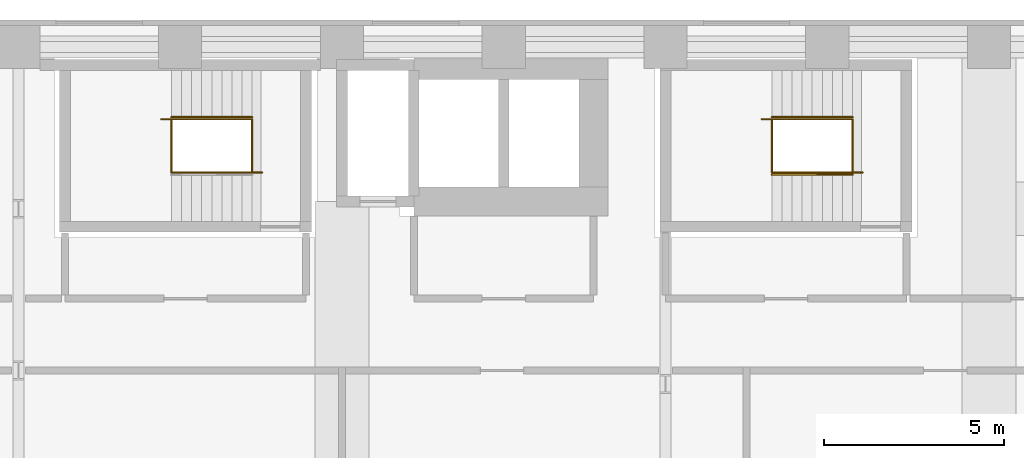
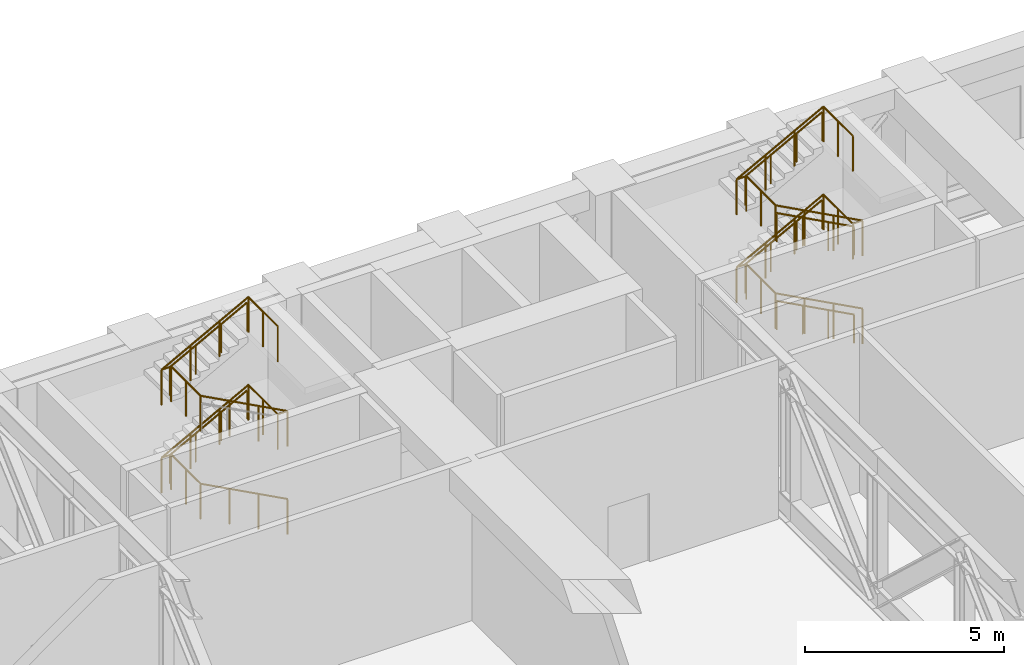
# One storey, part 12 of 13: 8 railings.
"""IFC4 building model written with IfcOpenShell, lengths in metres."""

from ifc_helpers import new_model, si_unit, direction, frame, origin, origin_2d, place, context, subcontext, project, spatial, circle, extrude, material, type_object, element, save


model = new_model("IFC4")

# Units and contexts
model_context = context("Model", 3, precision=1e-05, world=origin(), true_north=direction((0.0, 1.0)))
body_context = subcontext(model_context, "Body", "Model", "MODEL_VIEW")
ifc_project = project(units=[si_unit("LENGTHUNIT", "METRE"), si_unit("AREAUNIT", "SQUARE_METRE"), si_unit("VOLUMEUNIT", "CUBIC_METRE"), si_unit("PLANEANGLEUNIT", "RADIAN"), si_unit("MASSUNIT", "GRAM", prefix="KILO")], contexts=[model_context])

# Site, building, storey
site_placement = place(None, origin())
site = spatial("IfcSite", under=ifc_project, at=site_placement, CompositionType="ELEMENT")
building_placement = place(site_placement, origin())
building = spatial("IfcBuilding", under=site, at=building_placement, Name="Firuza Court", CompositionType="ELEMENT")
storey_placement = place(building_placement, frame((0.0, 0.0, 108.199951171875)))
storey = spatial("IfcBuildingStorey", under=building, at=storey_placement, Name="L27", CompositionType="ELEMENT", Elevation=108.199951171875)

# Railings
ifc_material_1 = material(Name="Steel S355", Category="steel")
railing_type_1 = type_object("IfcRailingType", Name="Handrail 900", PredefinedType="HANDRAIL", material=ifc_material_1)
railing_1_placement = place(storey_placement, frame((40.260009765625, 56.550048828125, 1.5)))
element("IfcRailing", 1, at=railing_1_placement, inside=storey, type_object=railing_type_1, Name="Handrail S1 flight 2", PredefinedType="HANDRAIL", context=body_context, shape_type="SweptSolid", body=[
    extrude(circle(Radius=0.02490234375, at=origin_2d()), frame((0.0, 0.0, 0.875), z_axis=(0.881487111273, 0.0, 0.472208081951), x_axis=(0.0, 1.0, 0.0)), (0.0, 0.0, 1.0), 2.541259765625),
    extrude(circle(Radius=0.02001953125, at=origin_2d()), origin(), (0.0, 0.0, 1.0), 0.849853515625),
    extrude(circle(Radius=0.02001953125, at=origin_2d()), frame((0.74658203125, 0.0, 0.39990234375)), (0.0, 0.0, 1.0), 0.849853515625),
    extrude(circle(Radius=0.02001953125, at=origin_2d()), frame((1.493408203125, 0.0, 0.800048828125)), (0.0, 0.0, 1.0), 0.849853515625),
    extrude(circle(Radius=0.02001953125, at=origin_2d()), frame((2.239990234375, 0.0, 1.199951171875)), (0.0, 0.0, 1.0), 0.849853515625),
])
railing_2_placement = place(storey_placement, frame((40.260009765625, 56.550048828125, 4.199951171875)))
element("IfcRailing", 2, at=railing_2_placement, inside=storey, type_object=railing_type_1, Name="Handrail S1 flight 4", PredefinedType="HANDRAIL", context=body_context, shape_type="SweptSolid", body=[
    extrude(circle(Radius=0.02490234375, at=origin_2d()), frame((0.0, 0.0, 0.875), z_axis=(0.881447119201, 0.0, 0.472282728937), x_axis=(0.0, 1.0, 0.0)), (0.0, 0.0, 1.0), 2.541259765625),
    extrude(circle(Radius=0.02001953125, at=origin_2d()), origin(), (0.0, 0.0, 1.0), 0.849853515625),
    extrude(circle(Radius=0.02001953125, at=origin_2d()), frame((0.74658203125, 0.0, 0.400146484375)), (0.0, 0.0, 1.0), 0.849853515625),
    extrude(circle(Radius=0.02001953125, at=origin_2d()), frame((1.493408203125, 0.0, 0.800048828125)), (0.0, 0.0, 1.0), 0.849853515625),
    extrude(circle(Radius=0.02001953125, at=origin_2d()), frame((2.239990234375, 0.0, 1.2001953125)), (0.0, 0.0, 1.0), 0.849853515625),
])
railing_3_placement = place(storey_placement, frame((59.199951171875, 54.949951171875, 0.150146484375)))
element("IfcRailing", 3, at=railing_3_placement, inside=storey, type_object=railing_type_1, Name="Handrail S4 flight 1", PredefinedType="HANDRAIL", context=body_context, shape_type="SweptSolid", body=[
    extrude(circle(Radius=0.02490234375, at=origin_2d()), frame((0.0, 0.0, 0.875), z_axis=(-0.881487111273, 0.0, 0.472208081951), x_axis=(0.0, -1.0, 0.0)), (0.0, 0.0, 1.0), 2.541259765625),
    extrude(circle(Radius=0.02001953125, at=origin_2d()), origin(), (0.0, 0.0, 1.0), 0.849853515625),
    extrude(circle(Radius=0.02001953125, at=origin_2d()), frame((-0.74658203125, 0.0, 0.39990234375)), (0.0, 0.0, 1.0), 0.849853515625),
    extrude(circle(Radius=0.02001953125, at=origin_2d()), frame((-1.493408203125, 0.0, 0.800048828125)), (0.0, 0.0, 1.0), 0.849853515625),
    extrude(circle(Radius=0.02001953125, at=origin_2d()), frame((-2.239990234375, 0.0, 1.199951171875)), (0.0, 0.0, 1.0), 0.849853515625),
])
railing_4_placement = place(storey_placement, frame((56.9599609375, 56.550048828125, 1.5)))
element("IfcRailing", 4, at=railing_4_placement, inside=storey, type_object=railing_type_1, Name="Handrail S4 flight 2", PredefinedType="HANDRAIL", context=body_context, shape_type="SweptSolid", body=[
    extrude(circle(Radius=0.02490234375, at=origin_2d()), frame((0.0, 0.0, 0.875), z_axis=(0.881487111273, 0.0, 0.472208081951), x_axis=(0.0, 1.0, 0.0)), (0.0, 0.0, 1.0), 2.541259765625),
    extrude(circle(Radius=0.02001953125, at=origin_2d()), origin(), (0.0, 0.0, 1.0), 0.849853515625),
    extrude(circle(Radius=0.02001953125, at=origin_2d()), frame((0.74658203125, 0.0, 0.39990234375)), (0.0, 0.0, 1.0), 0.849853515625),
    extrude(circle(Radius=0.02001953125, at=origin_2d()), frame((1.493408203125, 0.0, 0.800048828125)), (0.0, 0.0, 1.0), 0.849853515625),
    extrude(circle(Radius=0.02001953125, at=origin_2d()), frame((2.239990234375, 0.0, 1.199951171875)), (0.0, 0.0, 1.0), 0.849853515625),
])
railing_5_placement = place(storey_placement, frame((59.199951171875, 54.949951171875, 2.85009765625)))
element("IfcRailing", 5, at=railing_5_placement, inside=storey, type_object=railing_type_1, Name="Handrail S4 flight 3", PredefinedType="HANDRAIL", context=body_context, shape_type="SweptSolid", body=[
    extrude(circle(Radius=0.02490234375, at=origin_2d()), frame((0.0, 0.0, 0.875), z_axis=(-0.881487111273, 0.0, 0.472208081951), x_axis=(0.0, -1.0, 0.0)), (0.0, 0.0, 1.0), 2.541259765625),
    extrude(circle(Radius=0.02001953125, at=origin_2d()), origin(), (0.0, 0.0, 1.0), 0.849853515625),
    extrude(circle(Radius=0.02001953125, at=origin_2d()), frame((-0.74658203125, 0.0, 0.39990234375)), (0.0, 0.0, 1.0), 0.849853515625),
    extrude(circle(Radius=0.02001953125, at=origin_2d()), frame((-1.493408203125, 0.0, 0.800048828125)), (0.0, 0.0, 1.0), 0.849853515625),
    extrude(circle(Radius=0.02001953125, at=origin_2d()), frame((-2.239990234375, 0.0, 1.199951171875)), (0.0, 0.0, 1.0), 0.849853515625),
])
railing_6_placement = place(storey_placement, frame((56.9599609375, 56.550048828125, 4.199951171875)))
element("IfcRailing", 6, at=railing_6_placement, inside=storey, type_object=railing_type_1, Name="Handrail S4 flight 4", PredefinedType="HANDRAIL", context=body_context, shape_type="SweptSolid", body=[
    extrude(circle(Radius=0.02490234375, at=origin_2d()), frame((0.0, 0.0, 0.875), z_axis=(0.881447119201, 0.0, 0.472282728937), x_axis=(0.0, 1.0, 0.0)), (0.0, 0.0, 1.0), 2.541259765625),
    extrude(circle(Radius=0.02001953125, at=origin_2d()), origin(), (0.0, 0.0, 1.0), 0.849853515625),
    extrude(circle(Radius=0.02001953125, at=origin_2d()), frame((0.74658203125, 0.0, 0.400146484375)), (0.0, 0.0, 1.0), 0.849853515625),
    extrude(circle(Radius=0.02001953125, at=origin_2d()), frame((1.493408203125, 0.0, 0.800048828125)), (0.0, 0.0, 1.0), 0.849853515625),
    extrude(circle(Radius=0.02001953125, at=origin_2d()), frame((2.239990234375, 0.0, 1.2001953125)), (0.0, 0.0, 1.0), 0.849853515625),
])
ifc_material_2 = material(Name="Steel S355", Category="steel")
railing_type_2 = type_object("IfcRailingType", Name="Stair guard 1100", PredefinedType="GUARDRAIL", material=ifc_material_2)
railing_7_placement = place(storey_placement, frame((42.780029296875, 55.010009765625, 0.0)))
element("IfcRailing", 7, at=railing_7_placement, inside=storey, type_object=railing_type_2, Name="Stair well guard S1", PredefinedType="GUARDRAIL", context=body_context, shape_type="SweptSolid", body=[
    extrude(circle(Radius=0.02490234375, at=origin_2d()), frame((0.0, 0.0, 1.0751953125), z_axis=(-0.881467274426, 0.0, 0.472245110209), x_axis=(0.0, -1.0, 0.0)), (0.0, 0.0, 1.0), 2.85888671875),
    extrude(circle(Radius=0.02490234375, at=origin_2d()), frame((-2.52001953125, 0.0, 2.42529296875), z_axis=(0.0, 1.0, 0.0), x_axis=(-1.0, 0.0, 0.0)), (0.0, 0.0, 1.0), 1.47998046875),
    extrude(circle(Radius=0.02490234375, at=origin_2d()), frame((-2.52001953125, 1.47998046875, 2.42529296875), z_axis=(-1.0, 0.0, 0.0), x_axis=(0.0, -1.0, 0.0)), (0.0, 0.0, 1.0), 0.280029296875),
    extrude(circle(Radius=0.02490234375, at=origin_2d()), frame((-2.800048828125, 1.47998046875, 2.42529296875), z_axis=(0.88150282143, 0.0, 0.472178754087), x_axis=(0.0, 1.0, 0.0)), (0.0, 0.0, 1.0), 2.85888671875),
    extrude(circle(Radius=0.02490234375, at=origin_2d()), frame((-0.280029296875, 1.47998046875, 3.77490234375), z_axis=(0.0, -1.0, 0.0), x_axis=(1.0, 0.0, 0.0)), (0.0, 0.0, 1.0), 1.47998046875),
    extrude(circle(Radius=0.02490234375, at=origin_2d()), frame((-0.280029296875, 0.0, 3.77490234375), z_axis=(1.0, 0.0, 0.0), x_axis=(0.0, 1.0, 0.0)), (0.0, 0.0, 1.0), 0.280029296875),
    extrude(circle(Radius=0.02490234375, at=origin_2d()), frame((0.0, 0.0, 3.77490234375), z_axis=(-0.881467274426, 0.0, 0.472245110209), x_axis=(0.0, -1.0, 0.0)), (0.0, 0.0, 1.0), 2.85888671875),
    extrude(circle(Radius=0.02490234375, at=origin_2d()), frame((-2.52001953125, 0.0, 5.125), z_axis=(0.0, 1.0, 0.0), x_axis=(-1.0, 0.0, 0.0)), (0.0, 0.0, 1.0), 1.47998046875),
    extrude(circle(Radius=0.02490234375, at=origin_2d()), frame((-2.52001953125, 1.47998046875, 5.125), z_axis=(-1.0, 0.0, 0.0), x_axis=(0.0, -1.0, 0.0)), (0.0, 0.0, 1.0), 0.280029296875),
    extrude(circle(Radius=0.02490234375, at=origin_2d()), frame((-2.800048828125, 1.47998046875, 5.125), z_axis=(0.881467274426, 0.0, 0.472245110209), x_axis=(0.0, 1.0, 0.0)), (0.0, 0.0, 1.0), 2.85888671875),
    extrude(circle(Radius=0.02490234375, at=origin_2d()), frame((-0.280029296875, 1.47998046875, 6.47509765625), z_axis=(0.0, -1.0, 0.0), x_axis=(1.0, 0.0, 0.0)), (0.0, 0.0, 1.0), 1.47998046875),
    extrude(circle(Radius=0.02490234375, at=origin_2d()), origin(), (0.0, 0.0, 1.0), 1.050048828125),
    extrude(circle(Radius=0.02490234375, at=origin_2d()), frame((-0.840087890625, 0.0, 0.449951171875)), (0.0, 0.0, 1.0), 1.050048828125),
    extrude(circle(Radius=0.02490234375, at=origin_2d()), frame((-1.679931640625, 0.0, 0.900146484375)), (0.0, 0.0, 1.0), 1.050048828125),
    extrude(circle(Radius=0.02490234375, at=origin_2d()), frame((-2.52001953125, 0.0, 1.35009765625)), (0.0, 0.0, 1.0), 1.050048828125),
    extrude(circle(Radius=0.02490234375, at=origin_2d()), frame((-2.52001953125, 0.739990234375, 1.35009765625)), (0.0, 0.0, 1.0), 1.050048828125),
    extrude(circle(Radius=0.02490234375, at=origin_2d()), frame((-2.52001953125, 1.47998046875, 1.35009765625)), (0.0, 0.0, 1.0), 1.050048828125),
    extrude(circle(Radius=0.02490234375, at=origin_2d()), frame((-2.800048828125, 1.47998046875, 1.35009765625)), (0.0, 0.0, 1.0), 1.050048828125),
    extrude(circle(Radius=0.02490234375, at=origin_2d()), frame((-1.9599609375, 1.47998046875, 1.800048828125)), (0.0, 0.0, 1.0), 1.050048828125),
    extrude(circle(Radius=0.02490234375, at=origin_2d()), frame((-1.1201171875, 1.47998046875, 2.25)), (0.0, 0.0, 1.0), 1.050048828125),
    extrude(circle(Radius=0.02490234375, at=origin_2d()), frame((-0.280029296875, 1.47998046875, 2.699951171875)), (0.0, 0.0, 1.0), 1.050048828125),
    extrude(circle(Radius=0.02490234375, at=origin_2d()), frame((-0.280029296875, 0.739990234375, 2.699951171875)), (0.0, 0.0, 1.0), 1.050048828125),
    extrude(circle(Radius=0.02490234375, at=origin_2d()), frame((-0.280029296875, 0.0, 2.699951171875)), (0.0, 0.0, 1.0), 1.050048828125),
    extrude(circle(Radius=0.02490234375, at=origin_2d()), frame((0.0, 0.0, 2.699951171875)), (0.0, 0.0, 1.0), 1.050048828125),
    extrude(circle(Radius=0.02490234375, at=origin_2d()), frame((-0.840087890625, 0.0, 3.14990234375)), (0.0, 0.0, 1.0), 1.050048828125),
    extrude(circle(Radius=0.02490234375, at=origin_2d()), frame((-1.679931640625, 0.0, 3.60009765625)), (0.0, 0.0, 1.0), 1.050048828125),
    extrude(circle(Radius=0.02490234375, at=origin_2d()), frame((-2.52001953125, 0.0, 4.050048828125)), (0.0, 0.0, 1.0), 1.050048828125),
    extrude(circle(Radius=0.02490234375, at=origin_2d()), frame((-2.52001953125, 0.739990234375, 4.050048828125)), (0.0, 0.0, 1.0), 1.050048828125),
    extrude(circle(Radius=0.02490234375, at=origin_2d()), frame((-2.52001953125, 1.47998046875, 4.050048828125)), (0.0, 0.0, 1.0), 1.050048828125),
    extrude(circle(Radius=0.02490234375, at=origin_2d()), frame((-2.800048828125, 1.47998046875, 4.050048828125)), (0.0, 0.0, 1.0), 1.050048828125),
    extrude(circle(Radius=0.02490234375, at=origin_2d()), frame((-1.9599609375, 1.47998046875, 4.5)), (0.0, 0.0, 1.0), 1.050048828125),
    extrude(circle(Radius=0.02490234375, at=origin_2d()), frame((-1.1201171875, 1.47998046875, 4.9501953125)), (0.0, 0.0, 1.0), 1.050048828125),
    extrude(circle(Radius=0.02490234375, at=origin_2d()), frame((-0.280029296875, 1.47998046875, 5.400146484375)), (0.0, 0.0, 1.0), 1.050048828125),
    extrude(circle(Radius=0.02490234375, at=origin_2d()), frame((-0.280029296875, 0.739990234375, 5.400146484375)), (0.0, 0.0, 1.0), 1.050048828125),
    extrude(circle(Radius=0.02490234375, at=origin_2d()), frame((-0.280029296875, 0.0, 5.400146484375)), (0.0, 0.0, 1.0), 1.050048828125),
])
railing_8_placement = place(storey_placement, frame((59.47998046875, 55.010009765625, 0.0)))
element("IfcRailing", 8, at=railing_8_placement, inside=storey, type_object=railing_type_2, Name="Stair well guard S4", PredefinedType="GUARDRAIL", context=body_context, shape_type="SweptSolid", body=[
    extrude(circle(Radius=0.02490234375, at=origin_2d()), frame((0.0, 0.0, 1.0751953125), z_axis=(-0.881467274426, 0.0, 0.472245110209), x_axis=(0.0, -1.0, 0.0)), (0.0, 0.0, 1.0), 2.85888671875),
    extrude(circle(Radius=0.02490234375, at=origin_2d()), frame((-2.52001953125, 0.0, 2.42529296875), z_axis=(0.0, 1.0, 0.0), x_axis=(-1.0, 0.0, 0.0)), (0.0, 0.0, 1.0), 1.47998046875),
    extrude(circle(Radius=0.02490234375, at=origin_2d()), frame((-2.52001953125, 1.47998046875, 2.42529296875), z_axis=(-1.0, 0.0, 0.0), x_axis=(0.0, -1.0, 0.0)), (0.0, 0.0, 1.0), 0.280029296875),
    extrude(circle(Radius=0.02490234375, at=origin_2d()), frame((-2.800048828125, 1.47998046875, 2.42529296875), z_axis=(0.88150282143, 0.0, 0.472178754087), x_axis=(0.0, 1.0, 0.0)), (0.0, 0.0, 1.0), 2.85888671875),
    extrude(circle(Radius=0.02490234375, at=origin_2d()), frame((-0.280029296875, 1.47998046875, 3.77490234375), z_axis=(0.0, -1.0, 0.0), x_axis=(1.0, 0.0, 0.0)), (0.0, 0.0, 1.0), 1.47998046875),
    extrude(circle(Radius=0.02490234375, at=origin_2d()), frame((-0.280029296875, 0.0, 3.77490234375), z_axis=(1.0, 0.0, 0.0), x_axis=(0.0, 1.0, 0.0)), (0.0, 0.0, 1.0), 0.280029296875),
    extrude(circle(Radius=0.02490234375, at=origin_2d()), frame((0.0, 0.0, 3.77490234375), z_axis=(-0.881467274426, 0.0, 0.472245110209), x_axis=(0.0, -1.0, 0.0)), (0.0, 0.0, 1.0), 2.85888671875),
    extrude(circle(Radius=0.02490234375, at=origin_2d()), frame((-2.52001953125, 0.0, 5.125), z_axis=(0.0, 1.0, 0.0), x_axis=(-1.0, 0.0, 0.0)), (0.0, 0.0, 1.0), 1.47998046875),
    extrude(circle(Radius=0.02490234375, at=origin_2d()), frame((-2.52001953125, 1.47998046875, 5.125), z_axis=(-1.0, 0.0, 0.0), x_axis=(0.0, -1.0, 0.0)), (0.0, 0.0, 1.0), 0.280029296875),
    extrude(circle(Radius=0.02490234375, at=origin_2d()), frame((-2.800048828125, 1.47998046875, 5.125), z_axis=(0.881467274426, 0.0, 0.472245110209), x_axis=(0.0, 1.0, 0.0)), (0.0, 0.0, 1.0), 2.85888671875),
    extrude(circle(Radius=0.02490234375, at=origin_2d()), frame((-0.280029296875, 1.47998046875, 6.47509765625), z_axis=(0.0, -1.0, 0.0), x_axis=(1.0, 0.0, 0.0)), (0.0, 0.0, 1.0), 1.47998046875),
    extrude(circle(Radius=0.02490234375, at=origin_2d()), origin(), (0.0, 0.0, 1.0), 1.050048828125),
    extrude(circle(Radius=0.02490234375, at=origin_2d()), frame((-0.840087890625, 0.0, 0.449951171875)), (0.0, 0.0, 1.0), 1.050048828125),
    extrude(circle(Radius=0.02490234375, at=origin_2d()), frame((-1.679931640625, 0.0, 0.900146484375)), (0.0, 0.0, 1.0), 1.050048828125),
    extrude(circle(Radius=0.02490234375, at=origin_2d()), frame((-2.52001953125, 0.0, 1.35009765625)), (0.0, 0.0, 1.0), 1.050048828125),
    extrude(circle(Radius=0.02490234375, at=origin_2d()), frame((-2.52001953125, 0.739990234375, 1.35009765625)), (0.0, 0.0, 1.0), 1.050048828125),
    extrude(circle(Radius=0.02490234375, at=origin_2d()), frame((-2.52001953125, 1.47998046875, 1.35009765625)), (0.0, 0.0, 1.0), 1.050048828125),
    extrude(circle(Radius=0.02490234375, at=origin_2d()), frame((-2.800048828125, 1.47998046875, 1.35009765625)), (0.0, 0.0, 1.0), 1.050048828125),
    extrude(circle(Radius=0.02490234375, at=origin_2d()), frame((-1.9599609375, 1.47998046875, 1.800048828125)), (0.0, 0.0, 1.0), 1.050048828125),
    extrude(circle(Radius=0.02490234375, at=origin_2d()), frame((-1.1201171875, 1.47998046875, 2.25)), (0.0, 0.0, 1.0), 1.050048828125),
    extrude(circle(Radius=0.02490234375, at=origin_2d()), frame((-0.280029296875, 1.47998046875, 2.699951171875)), (0.0, 0.0, 1.0), 1.050048828125),
    extrude(circle(Radius=0.02490234375, at=origin_2d()), frame((-0.280029296875, 0.739990234375, 2.699951171875)), (0.0, 0.0, 1.0), 1.050048828125),
    extrude(circle(Radius=0.02490234375, at=origin_2d()), frame((-0.280029296875, 0.0, 2.699951171875)), (0.0, 0.0, 1.0), 1.050048828125),
    extrude(circle(Radius=0.02490234375, at=origin_2d()), frame((0.0, 0.0, 2.699951171875)), (0.0, 0.0, 1.0), 1.050048828125),
    extrude(circle(Radius=0.02490234375, at=origin_2d()), frame((-0.840087890625, 0.0, 3.14990234375)), (0.0, 0.0, 1.0), 1.050048828125),
    extrude(circle(Radius=0.02490234375, at=origin_2d()), frame((-1.679931640625, 0.0, 3.60009765625)), (0.0, 0.0, 1.0), 1.050048828125),
    extrude(circle(Radius=0.02490234375, at=origin_2d()), frame((-2.52001953125, 0.0, 4.050048828125)), (0.0, 0.0, 1.0), 1.050048828125),
    extrude(circle(Radius=0.02490234375, at=origin_2d()), frame((-2.52001953125, 0.739990234375, 4.050048828125)), (0.0, 0.0, 1.0), 1.050048828125),
    extrude(circle(Radius=0.02490234375, at=origin_2d()), frame((-2.52001953125, 1.47998046875, 4.050048828125)), (0.0, 0.0, 1.0), 1.050048828125),
    extrude(circle(Radius=0.02490234375, at=origin_2d()), frame((-2.800048828125, 1.47998046875, 4.050048828125)), (0.0, 0.0, 1.0), 1.050048828125),
    extrude(circle(Radius=0.02490234375, at=origin_2d()), frame((-1.9599609375, 1.47998046875, 4.5)), (0.0, 0.0, 1.0), 1.050048828125),
    extrude(circle(Radius=0.02490234375, at=origin_2d()), frame((-1.1201171875, 1.47998046875, 4.9501953125)), (0.0, 0.0, 1.0), 1.050048828125),
    extrude(circle(Radius=0.02490234375, at=origin_2d()), frame((-0.280029296875, 1.47998046875, 5.400146484375)), (0.0, 0.0, 1.0), 1.050048828125),
    extrude(circle(Radius=0.02490234375, at=origin_2d()), frame((-0.280029296875, 0.739990234375, 5.400146484375)), (0.0, 0.0, 1.0), 1.050048828125),
    extrude(circle(Radius=0.02490234375, at=origin_2d()), frame((-0.280029296875, 0.0, 5.400146484375)), (0.0, 0.0, 1.0), 1.050048828125),
])

save(model, "model.ifc")
